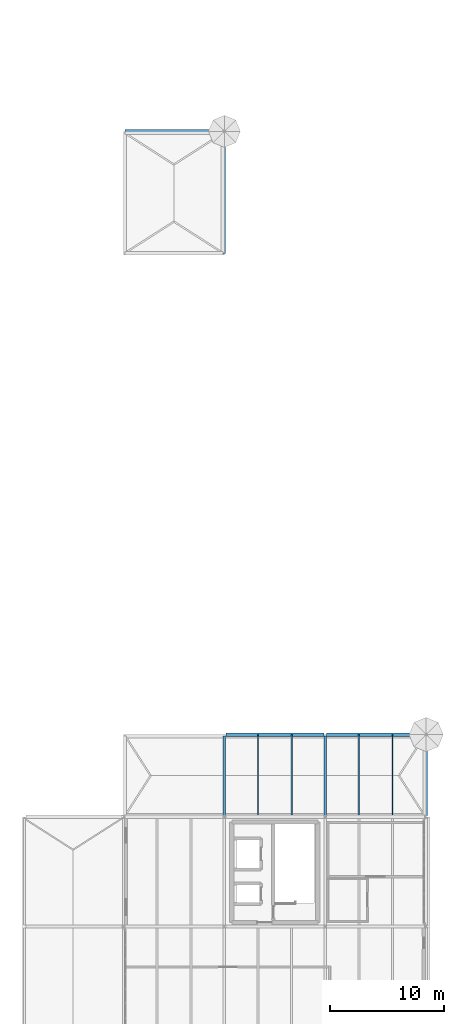
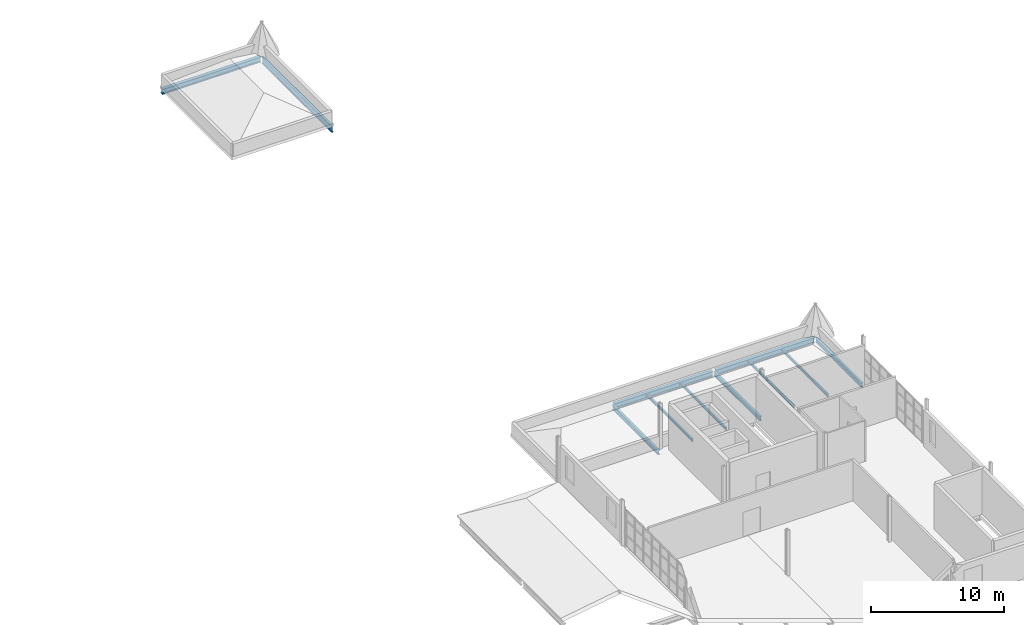
# One storey, part 15 of 28: 11 beams.
"""IFC4 building model written with IfcOpenShell, lengths in metres."""

from ifc_helpers import new_model, si_unit, direction, frame, origin, origin_2d, place, context, subcontext, project, spatial, i_section, extrude, material, material_profile, profile_set, type_object, element, save


model = new_model("IFC4")

# Units and contexts
model_context = context("Model", 3, precision=1e-05, world=origin(), true_north=direction((0.0, 1.0)))
body_context = subcontext(model_context, "Body", "Model", "MODEL_VIEW")
ifc_project = project(units=[si_unit("LENGTHUNIT", "METRE"), si_unit("AREAUNIT", "SQUARE_METRE"), si_unit("VOLUMEUNIT", "CUBIC_METRE"), si_unit("PLANEANGLEUNIT", "RADIAN"), si_unit("MASSUNIT", "GRAM", prefix="KILO")], contexts=[model_context])

# Site, building, storey
site_placement = place(None, origin())
site = spatial("IfcSite", under=ifc_project, at=site_placement, CompositionType="ELEMENT")
building_placement = place(site_placement, origin())
building = spatial("IfcBuilding", under=site, at=building_placement, Name="Yeouljin Market Hall", CompositionType="ELEMENT")
storey_placement = place(building_placement, frame((0.0, 0.0, 15.0)))
storey = spatial("IfcBuildingStorey", under=building, at=storey_placement, Name="L03", CompositionType="ELEMENT", Elevation=15.0)

# Beams
ifc_material_1 = material(Name="Steel SM355", Category="steel")
ifc_material_profile_1 = material_profile(ifc_material_1, i_section(OverallWidth=0.199951171875, OverallDepth=0.39990234375, WebThickness=0.008056640625, FlangeThickness=0.012939453125, FilletRadius=0.01611328125, at=origin_2d()), Name="H-400x200x8x13")
ifc_profile_set_1 = profile_set([ifc_material_profile_1], Name="Steel SM355")
beam_type_1 = type_object("IfcBeamType", Name="Beam_H-400x200x8x13", PredefinedType="BEAM", material=ifc_profile_set_1)
for number, where, z_axis, x_axis, name in (
    (1, (158.739990234375, 28.925048828125, -0.465087890625), (0.0, 1.0, 0.0), (-1.0, 0.0, 0.0), "Primary beam BM-L03-Y080"),
    (2, (167.570068359375, 28.925048828125, -0.465087890625), (0.0, 1.0, 0.0), (-1.0, 0.0, 0.0), "Primary beam BM-L03-Y085"),
    (3, (176.39990234375, 28.925048828125, -0.465087890625), (0.0, 1.0, 0.0), (-1.0, 0.0, 0.0), "Primary beam BM-L03-Y089"),
):
    element("IfcBeam", number, at=place(storey_placement, frame(where, z_axis=z_axis, x_axis=x_axis)), inside=storey, type_object=beam_type_1, Name=name, PredefinedType="BEAM", context=body_context, shape_type="SweptSolid", body=[
        extrude(i_section(OverallWidth=0.199951171875, OverallDepth=0.39990234375, WebThickness=0.008056640625, FlangeThickness=0.012939453125, FilletRadius=0.01611328125, at=origin_2d()), origin(), (0.0, 0.0, 1.0), 6.949951171875),
    ])
ifc_material_2 = material(Name="Steel SM355", Category="steel")
ifc_material_profile_2 = material_profile(ifc_material_2, i_section(OverallWidth=0.199951171875, OverallDepth=0.60009765625, WebThickness=0.010986328125, FlangeThickness=0.01708984375, FilletRadius=0.02197265625, at=origin_2d()), Name="H-600x200x11x17")
ifc_profile_set_2 = profile_set([ifc_material_profile_2], Name="Steel SM355")
beam_type_2 = type_object("IfcBeamType", Name="Beam_H-600x200x11x17", PredefinedType="BEAM", material=ifc_profile_set_2)
beam_1_placement = place(storey_placement, frame((158.739990234375, 78.125, -0.56494140625), z_axis=(0.0, 1.0, 0.0), x_axis=(-1.0, 0.0, 0.0)))
element("IfcBeam", 4, at=beam_1_placement, inside=storey, type_object=beam_type_2, Name="Primary beam BM-L03-Y081", PredefinedType="BEAM", context=body_context, shape_type="SweptSolid", body=[
    extrude(i_section(OverallWidth=0.199951171875, OverallDepth=0.60009765625, WebThickness=0.010986328125, FlangeThickness=0.01708984375, FilletRadius=0.02197265625, at=origin_2d()), origin(), (0.0, 0.0, 1.0), 10.550048828125),
])
ifc_material_3 = material(Name="Steel SM355", Category="steel")
ifc_material_profile_3 = material_profile(ifc_material_3, i_section(OverallWidth=0.300048828125, OverallDepth=0.488037109375, WebThickness=0.010986328125, FlangeThickness=0.01806640625, FilletRadius=0.02197265625, at=origin_2d()), Name="H-488x300x11x18")
ifc_profile_set_3 = profile_set([ifc_material_profile_3], Name="Steel SM355")
beam_type_3 = type_object("IfcBeamType", Name="Girder_H-488x300x11x18", PredefinedType="USERDEFINED", material=ifc_profile_set_3)
beam_2_placement = place(storey_placement, frame((158.864990234375, 36.0, -0.493896484375), z_axis=(1.0, 0.0, 0.0), x_axis=(0.0, 1.0, 0.0)))
element("IfcBeam", 5, at=beam_2_placement, inside=storey, type_object=beam_type_3, Name="Primary girder GRD-L03-X027", ObjectType="GIRDER", PredefinedType="USERDEFINED", context=body_context, shape_type="SweptSolid", body=[
    extrude(i_section(OverallWidth=0.300048828125, OverallDepth=0.488037109375, WebThickness=0.010986328125, FlangeThickness=0.01806640625, FilletRadius=0.02197265625, at=origin_2d()), origin(), (0.0, 0.0, 1.0), 8.580078125),
])
beam_3_placement = place(storey_placement, frame((167.695068359375, 36.0, -0.493896484375), z_axis=(1.0, 0.0, 0.0), x_axis=(0.0, 1.0, 0.0)))
element("IfcBeam", 6, at=beam_3_placement, inside=storey, type_object=beam_type_3, Name="Primary girder GRD-L03-X028", ObjectType="GIRDER", PredefinedType="USERDEFINED", context=body_context, shape_type="SweptSolid", body=[
    extrude(i_section(OverallWidth=0.300048828125, OverallDepth=0.488037109375, WebThickness=0.010986328125, FlangeThickness=0.01806640625, FilletRadius=0.02197265625, at=origin_2d()), origin(), (0.0, 0.0, 1.0), 8.579833984375),
])
beam_4_placement = place(storey_placement, frame((150.034912109375, 88.800048828125, -0.509033203125), z_axis=(1.0, 0.0, 0.0), x_axis=(0.0, 1.0, 0.0)))
element("IfcBeam", 7, at=beam_4_placement, inside=storey, type_object=beam_type_3, Name="Primary girder GRD-L03-X040", ObjectType="GIRDER", PredefinedType="USERDEFINED", context=body_context, shape_type="SweptSolid", body=[
    extrude(i_section(OverallWidth=0.300048828125, OverallDepth=0.488037109375, WebThickness=0.010986328125, FlangeThickness=0.01806640625, FilletRadius=0.02197265625, at=origin_2d()), origin(), (0.0, 0.0, 1.0), 8.580078125),
])
ifc_material_4 = material(Name="Steel SM355", Category="steel")
ifc_material_profile_4 = material_profile(ifc_material_4, i_section(OverallWidth=0.125, OverallDepth=0.25, WebThickness=0.006103515625, FlangeThickness=0.009033203125, FilletRadius=0.011962890625, at=origin_2d()), Name="H-250x125x6x9")
ifc_profile_set_4 = profile_set([ifc_material_profile_4], Name="Steel SM355")
beam_type_4 = type_object("IfcBeamType", Name="Joist_H-250x125x6x9", PredefinedType="JOIST", material=ifc_profile_set_4)
for number, where, z_axis, x_axis, name in (
    (8, (161.683349609375, 28.947021484375, -0.389892578125), (0.0, 1.0, 0.0), (-1.0, 0.0, 0.0), "Secondary floor joist L03-050"),
    (9, (164.626708984375, 28.947021484375, -0.389892578125), (0.0, 1.0, 0.0), (-1.0, 0.0, 0.0), "Secondary floor joist L03-051"),
    (10, (170.51318359375, 28.947021484375, -0.389892578125), (0.0, 1.0, 0.0), (-1.0, 0.0, 0.0), "Secondary floor joist L03-057"),
    (11, (173.456787109375, 28.947021484375, -0.389892578125), (0.0, 1.0, 0.0), (-1.0, 0.0, 0.0), "Secondary floor joist L03-058"),
):
    element("IfcBeam", number, at=place(storey_placement, frame(where, z_axis=z_axis, x_axis=x_axis)), inside=storey, type_object=beam_type_4, Name=name, PredefinedType="JOIST", context=body_context, shape_type="SweptSolid", body=[
        extrude(i_section(OverallWidth=0.125, OverallDepth=0.25, WebThickness=0.006103515625, FlangeThickness=0.009033203125, FilletRadius=0.011962890625, at=origin_2d()), origin(), (0.0, 0.0, 1.0), 7.046875),
    ])

save(model, "model.ifc")
